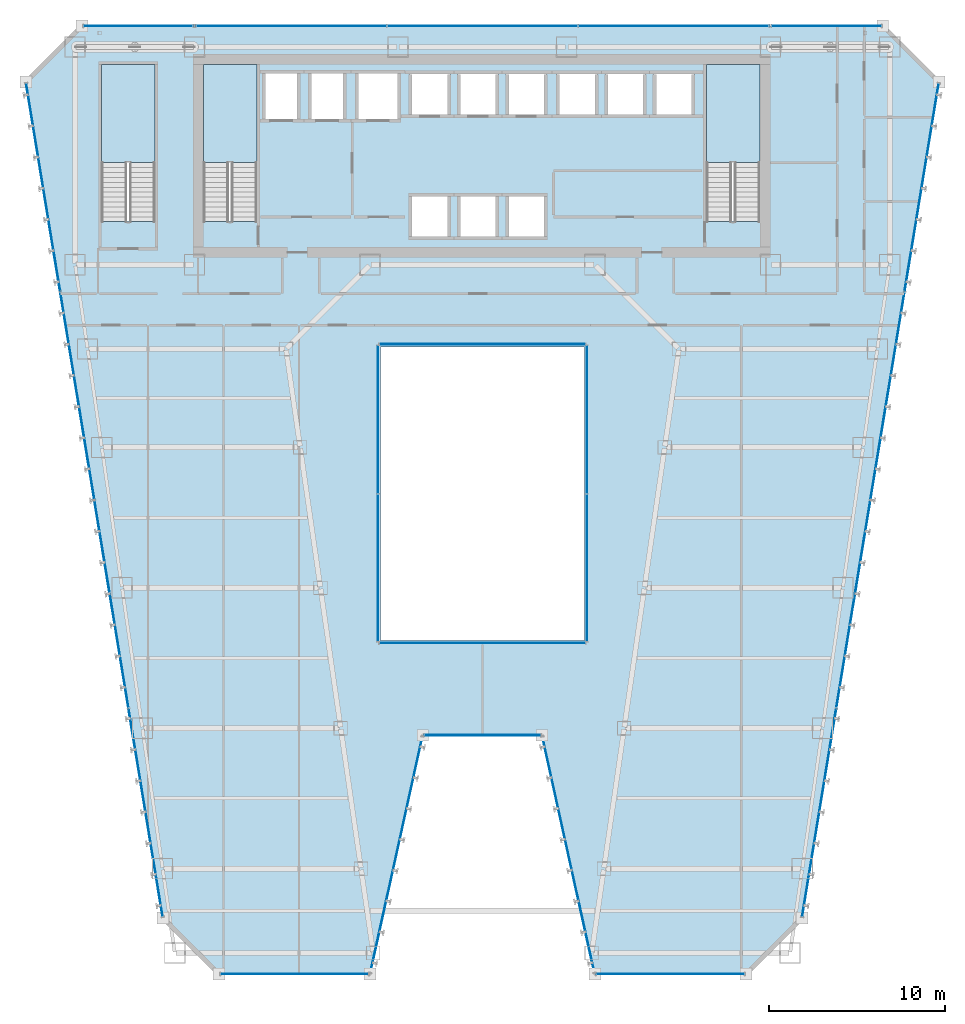
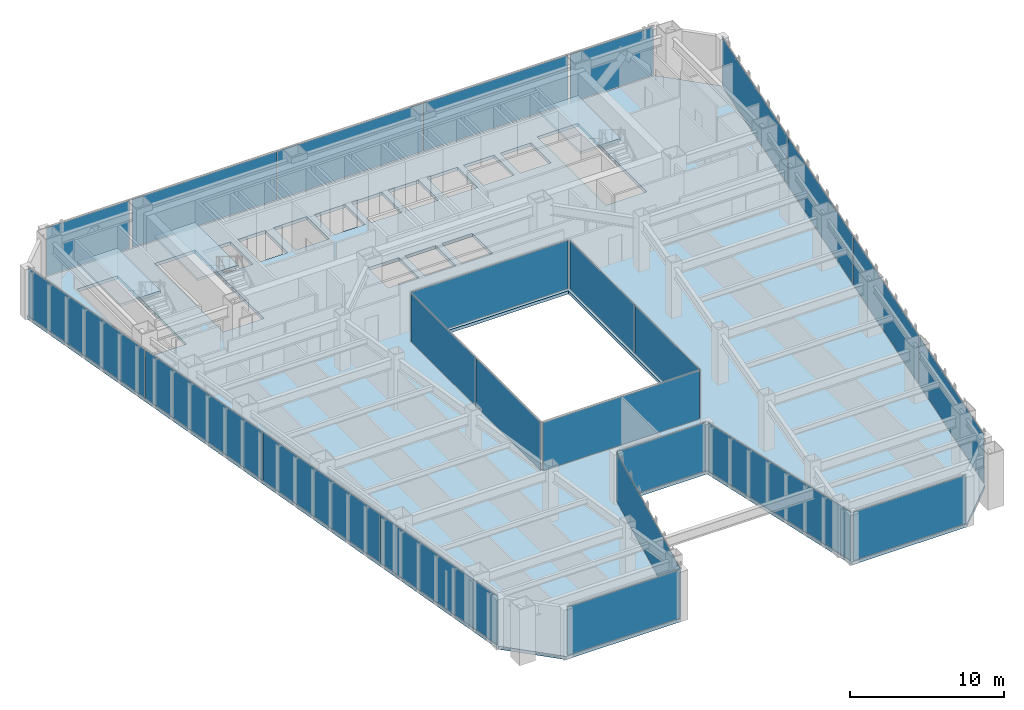
# One storey, part 34 of 47: 24 plates, 4 slabs, 17 elements without a shape of their own.
"""IFC4 building model written with IfcOpenShell, lengths in metres."""

from ifc_helpers import new_model, si_unit, direction, frame, origin, origin_2d, place, context, subcontext, project, spatial, polyline, rectangle, outline, extrude, material, layer, layer_set, type_object, element, aggregate, save


model = new_model("IFC4")

# Units and contexts
model_context = context("Model", 3, precision=1e-05, world=origin(), true_north=direction((0.0, 1.0)))
body_context = subcontext(model_context, "Body", "Model", "MODEL_VIEW")
ifc_project = project(units=[si_unit("LENGTHUNIT", "METRE"), si_unit("AREAUNIT", "SQUARE_METRE"), si_unit("VOLUMEUNIT", "CUBIC_METRE"), si_unit("PLANEANGLEUNIT", "RADIAN"), si_unit("MASSUNIT", "GRAM", prefix="KILO")], contexts=[model_context])

# Site, building, storey
site_placement = place(None, origin())
site = spatial("IfcSite", under=ifc_project, at=site_placement, CompositionType="ELEMENT")
building_placement = place(site_placement, origin())
building = spatial("IfcBuilding", under=site, at=building_placement, Name="Saevonmaru Cultural Tower", CompositionType="ELEMENT")
storey_placement = place(building_placement, frame((0.0, 0.0, 82.39990234375)))
storey = spatial("IfcBuildingStorey", under=building, at=storey_placement, Name="L17", CompositionType="ELEMENT", Elevation=82.39990234375)

# Curtain wall, plate
ifc_material_1 = material(Name="Satin Bronze Anodised Aluminium", Category="aluminium")
curtain_wall_type_1 = type_object("IfcCurtainWallType", Name="CW-ATR-GLZ", PredefinedType="NOTDEFINED", material=ifc_material_1)
curtain_wall_1_placement = place(storey_placement, origin())
curtain_wall_1 = element("IfcCurtainWall", 1, at=curtain_wall_1_placement, inside=storey, type_object=curtain_wall_type_1, Name="L17 Vertical Atrium Glazed Smoke Screen 1", PredefinedType="NOTDEFINED")
ifc_material_2 = material(Name="Fire-Rated Laminated Atrium Glass", Category="glass")
ifc_layer_1 = layer(ifc_material_2, 0.031982421875, Name="Fire-Rated Laminated Atrium Glass")
ifc_layer_set_1 = layer_set([ifc_layer_1], Name="Fire-Rated Laminated Atrium Glass")
plate_type_1 = type_object("IfcPlateType", Name="PN-GLZ-ATR-INT", PredefinedType="CURTAIN_PANEL", material=ifc_layer_set_1)
plate_1_placement = place(storey_placement, frame((30.0, 20.85009765625, 0.067138671875), z_axis=(0.0, 0.0, 1.0), x_axis=(1.0, 0.0, 0.0)))
plate_1 = element("IfcPlate", 2, at=plate_1_placement, type_object=plate_type_1, Name="CW-ATR-L17-1 panel 1.1", PredefinedType="CURTAIN_PANEL", context=body_context, shape_type="SweptSolid", body=[
    extrude(rectangle(XDim=11.7109375, YDim=0.031982421875, at=origin_2d()), origin(), (0.0, 0.0, 1.0), 3.81591796875),
])
aggregate(curtain_wall_1, [plate_1])

# Curtain wall, plates
curtain_wall_2_placement = place(storey_placement, origin())
curtain_wall_2 = element("IfcCurtainWall", 3, at=curtain_wall_2_placement, inside=storey, type_object=curtain_wall_type_1, Name="L17 Vertical Atrium Glazed Smoke Screen 2", PredefinedType="NOTDEFINED")
plate_2_placement = place(storey_placement, frame((35.949951171875, 25.135009765625, 0.067138671875), z_axis=(0.0, 0.0, 1.0), x_axis=(0.0, 1.0, 0.0)))
plate_2 = element("IfcPlate", 4, at=plate_2_placement, type_object=plate_type_1, Name="CW-ATR-L17-2 panel 1.1", PredefinedType="CURTAIN_PANEL", context=body_context, shape_type="SweptSolid", body=[
    extrude(rectangle(XDim=8.381103515625, YDim=0.031982421875, at=origin_2d()), origin(), (0.0, 0.0, 1.0), 3.81591796875),
])
plate_3_placement = place(storey_placement, frame((35.949951171875, 33.5849609375, 0.067138671875), z_axis=(0.0, 0.0, 1.0), x_axis=(0.0, 1.0, 0.0)))
plate_3 = element("IfcPlate", 5, at=plate_3_placement, type_object=plate_type_1, Name="CW-ATR-L17-2 panel 2.1", PredefinedType="CURTAIN_PANEL", context=body_context, shape_type="SweptSolid", body=[
    extrude(rectangle(XDim=8.381103515625, YDim=0.031982421875, at=origin_2d()), origin(), (0.0, 0.0, 1.0), 3.81591796875),
])
aggregate(curtain_wall_2, [plate_2, plate_3])

# Curtain wall, plate
curtain_wall_3_placement = place(storey_placement, origin())
curtain_wall_3 = element("IfcCurtainWall", 6, at=curtain_wall_3_placement, inside=storey, type_object=curtain_wall_type_1, Name="L17 Vertical Atrium Glazed Smoke Screen 3", PredefinedType="NOTDEFINED")
plate_4_placement = place(storey_placement, frame((30.0, 37.8701171875, 0.067138671875), z_axis=(0.0, 0.0, 1.0), x_axis=(-1.0, 0.0, 0.0)))
plate_4 = element("IfcPlate", 7, at=plate_4_placement, type_object=plate_type_1, Name="CW-ATR-L17-3 panel 1.1", PredefinedType="CURTAIN_PANEL", context=body_context, shape_type="SweptSolid", body=[
    extrude(rectangle(XDim=11.7109375, YDim=0.031982421875, at=origin_2d()), origin(), (0.0, 0.0, 1.0), 3.81591796875),
])
aggregate(curtain_wall_3, [plate_4])

# Curtain wall, plates
curtain_wall_4_placement = place(storey_placement, origin())
curtain_wall_4 = element("IfcCurtainWall", 8, at=curtain_wall_4_placement, inside=storey, type_object=curtain_wall_type_1, Name="L17 Vertical Atrium Glazed Smoke Screen 4", PredefinedType="NOTDEFINED")
plate_5_placement = place(storey_placement, frame((24.050048828125, 33.5849609375, 0.067138671875), z_axis=(0.0, 0.0, 1.0), x_axis=(0.0, -1.0, 0.0)))
plate_5 = element("IfcPlate", 9, at=plate_5_placement, type_object=plate_type_1, Name="CW-ATR-L17-4 panel 1.1", PredefinedType="CURTAIN_PANEL", context=body_context, shape_type="SweptSolid", body=[
    extrude(rectangle(XDim=8.381103515625, YDim=0.031982421875, at=origin_2d()), origin(), (0.0, 0.0, 1.0), 3.81591796875),
])
plate_6_placement = place(storey_placement, frame((24.050048828125, 25.135009765625, 0.067138671875), z_axis=(0.0, 0.0, 1.0), x_axis=(0.0, -1.0, 0.0)))
plate_6 = element("IfcPlate", 10, at=plate_6_placement, type_object=plate_type_1, Name="CW-ATR-L17-4 panel 2.1", PredefinedType="CURTAIN_PANEL", context=body_context, shape_type="SweptSolid", body=[
    extrude(rectangle(XDim=8.381103515625, YDim=0.031982421875, at=origin_2d()), origin(), (0.0, 0.0, 1.0), 3.81591796875),
])
aggregate(curtain_wall_4, [plate_5, plate_6])

# Curtain wall, plate
curtain_wall_type_2 = type_object("IfcCurtainWallType", Name="CW-TYP-A", PredefinedType="NOTDEFINED", material=ifc_material_1)
curtain_wall_5_placement = place(storey_placement, origin())
curtain_wall_5 = element("IfcCurtainWall", 11, at=curtain_wall_5_placement, inside=storey, type_object=curtain_wall_type_2, Name="L17 Unitised Curtain Wall E2", PredefinedType="NOTDEFINED")
ifc_material_3 = material(Name="Triple Silver Low-E Insulating Glass", Category="glass")
ifc_layer_2 = layer(ifc_material_3, 0.035888671875, Name="Triple Silver Low-E Insulating Glass")
ifc_layer_set_2 = layer_set([ifc_layer_2], Name="Triple Silver Low-E Insulating Glass")
plate_type_2 = type_object("IfcPlateType", Name="PN-GLZ-IGU", PredefinedType="CURTAIN_PANEL", material=ifc_layer_set_2)
plate_7_placement = place(storey_placement, frame((19.300048828125, 2.0, 0.067138671875), z_axis=(0.0, 0.0, 1.0), x_axis=(1.0, 0.0, 0.0)))
plate_7 = element("IfcPlate", 12, at=plate_7_placement, type_object=plate_type_2, Name="CW-TW-L17-E2 panel 1.1", PredefinedType="CURTAIN_PANEL", context=body_context, shape_type="SweptSolid", body=[
    extrude(rectangle(XDim=8.410888671875, YDim=0.035888671875, at=origin_2d()), origin(), (0.0, 0.0, 1.0), 3.81591796875),
])
aggregate(curtain_wall_5, [plate_7])

curtain_wall_6_placement = place(storey_placement, origin())
curtain_wall_6 = element("IfcCurtainWall", 13, at=curtain_wall_6_placement, inside=storey, type_object=curtain_wall_type_2, Name="L17 Unitised Curtain Wall E3", PredefinedType="NOTDEFINED")
plate_8_placement = place(storey_placement, frame((25.10009765625, 8.800048828125, 0.067138671875), z_axis=(0.0, 0.0, 1.0), x_axis=(0.215413319953, 0.976522965212, 0.0)))
plate_8 = element("IfcPlate", 14, at=plate_8_placement, type_object=plate_type_2, Name="CW-TW-L17-E3 panel 1.1", PredefinedType="CURTAIN_PANEL", context=body_context, shape_type="SweptSolid", body=[
    extrude(rectangle(XDim=13.738037109375, YDim=0.035888671875, at=origin_2d()), origin(), (0.0, 0.0, 1.0), 3.81591796875),
])
aggregate(curtain_wall_6, [plate_8])

curtain_wall_7_placement = place(storey_placement, origin())
curtain_wall_7 = element("IfcCurtainWall", 15, at=curtain_wall_7_placement, inside=storey, type_object=curtain_wall_type_2, Name="L17 Unitised Curtain Wall E4", PredefinedType="NOTDEFINED")
plate_9_placement = place(storey_placement, frame((30.0, 15.60009765625, 0.067138671875), z_axis=(0.0, 0.0, 1.0), x_axis=(1.0, 0.0, 0.0)))
plate_9 = element("IfcPlate", 16, at=plate_9_placement, type_object=plate_type_2, Name="CW-TW-L17-E4 panel 1.1", PredefinedType="CURTAIN_PANEL", context=body_context, shape_type="SweptSolid", body=[
    extrude(rectangle(XDim=6.611083984375, YDim=0.035888671875, at=origin_2d()), origin(), (0.0, 0.0, 1.0), 3.81591796875),
])
aggregate(curtain_wall_7, [plate_9])

curtain_wall_8_placement = place(storey_placement, origin())
curtain_wall_8 = element("IfcCurtainWall", 17, at=curtain_wall_8_placement, inside=storey, type_object=curtain_wall_type_2, Name="L17 Unitised Curtain Wall E5", PredefinedType="NOTDEFINED")
plate_10_placement = place(storey_placement, frame((34.89990234375, 8.800048828125, 0.067138671875), z_axis=(0.0, 0.0, 1.0), x_axis=(0.215413319953, -0.976522965212, 0.0)))
plate_10 = element("IfcPlate", 18, at=plate_10_placement, type_object=plate_type_2, Name="CW-TW-L17-E5 panel 1.1", PredefinedType="CURTAIN_PANEL", context=body_context, shape_type="SweptSolid", body=[
    extrude(rectangle(XDim=13.738037109375, YDim=0.035888671875, at=origin_2d()), origin(), (0.0, 0.0, 1.0), 3.81591796875),
])
aggregate(curtain_wall_8, [plate_10])

curtain_wall_9_placement = place(storey_placement, origin())
curtain_wall_9 = element("IfcCurtainWall", 19, at=curtain_wall_9_placement, inside=storey, type_object=curtain_wall_type_2, Name="L17 Unitised Curtain Wall E6", PredefinedType="NOTDEFINED")
plate_11_placement = place(storey_placement, frame((40.699951171875, 2.0, 0.067138671875), z_axis=(0.0, 0.0, 1.0), x_axis=(1.0, 0.0, 0.0)))
plate_11 = element("IfcPlate", 20, at=plate_11_placement, type_object=plate_type_2, Name="CW-TW-L17-E6 panel 1.1", PredefinedType="CURTAIN_PANEL", context=body_context, shape_type="SweptSolid", body=[
    extrude(rectangle(XDim=8.410888671875, YDim=0.035888671875, at=origin_2d()), origin(), (0.0, 0.0, 1.0), 3.81591796875),
])
aggregate(curtain_wall_9, [plate_11])

# Curtain wall, plates
curtain_wall_10_placement = place(storey_placement, origin())
curtain_wall_10 = element("IfcCurtainWall", 21, at=curtain_wall_10_placement, inside=storey, type_object=curtain_wall_type_2, Name="L17 Unitised Curtain Wall E8", PredefinedType="NOTDEFINED")
plate_12_placement = place(storey_placement, frame((49.182373046875, 11.1943359375, 0.067138671875), z_axis=(0.0, 0.0, 1.0), x_axis=(0.161708868641, 0.986838508472, 0.0)))
plate_12 = element("IfcPlate", 22, at=plate_12_placement, type_object=plate_type_2, Name="CW-TW-L17-E8 panel 1.1", PredefinedType="CURTAIN_PANEL", context=body_context, shape_type="SweptSolid", body=[
    extrude(rectangle(XDim=11.959716796875, YDim=0.035888671875, at=origin_2d()), origin(), (0.0, 0.0, 1.0), 3.81591796875),
])
plate_13_placement = place(storey_placement, frame((51.12744140625, 23.064697265625, 0.067138671875), z_axis=(0.0, 0.0, 1.0), x_axis=(0.161708868641, 0.986838508472, 0.0)))
plate_13 = element("IfcPlate", 23, at=plate_13_placement, type_object=plate_type_2, Name="CW-TW-L17-E8 panel 2.1", PredefinedType="CURTAIN_PANEL", context=body_context, shape_type="SweptSolid", body=[
    extrude(rectangle(XDim=11.959716796875, YDim=0.035888671875, at=origin_2d()), origin(), (0.0, 0.0, 1.0), 3.81591796875),
])
plate_14_placement = place(storey_placement, frame((53.072509765625, 34.935302734375, 0.067138671875), z_axis=(0.0, 0.0, 1.0), x_axis=(0.161708868641, 0.986838508472, 0.0)))
plate_14 = element("IfcPlate", 24, at=plate_14_placement, type_object=plate_type_2, Name="CW-TW-L17-E8 panel 3.1", PredefinedType="CURTAIN_PANEL", context=body_context, shape_type="SweptSolid", body=[
    extrude(rectangle(XDim=11.959716796875, YDim=0.035888671875, at=origin_2d()), origin(), (0.0, 0.0, 1.0), 3.81591796875),
])
plate_15_placement = place(storey_placement, frame((55.017822265625, 46.8056640625, 0.067138671875), z_axis=(0.0, 0.0, 1.0), x_axis=(0.161708868641, 0.986838508472, 0.0)))
plate_15 = element("IfcPlate", 25, at=plate_15_placement, type_object=plate_type_2, Name="CW-TW-L17-E8 panel 4.1", PredefinedType="CURTAIN_PANEL", context=body_context, shape_type="SweptSolid", body=[
    extrude(rectangle(XDim=11.959716796875, YDim=0.035888671875, at=origin_2d()), origin(), (0.0, 0.0, 1.0), 3.81591796875),
])
aggregate(curtain_wall_10, [plate_12, plate_13, plate_14, plate_15])

curtain_wall_11_placement = place(storey_placement, origin())
curtain_wall_11 = element("IfcCurtainWall", 26, at=curtain_wall_11_placement, inside=storey, type_object=curtain_wall_type_2, Name="L17 North Spine Unitised Curtain Wall E10B", PredefinedType="NOTDEFINED")
plate_16_placement = place(storey_placement, frame((40.893310546875, 56.0, 0.067138671875), z_axis=(0.0, 0.0, 1.0), x_axis=(-1.0, 0.0, 0.0)))
plate_16 = element("IfcPlate", 27, at=plate_16_placement, type_object=plate_type_2, Name="CW-TW-L17-E10B panel 1.1", PredefinedType="CURTAIN_PANEL", context=body_context, shape_type="SweptSolid", body=[
    extrude(rectangle(XDim=10.82421875, YDim=0.035888671875, at=origin_2d()), origin(), (0.0, 0.0, 1.0), 3.81591796875),
])
plate_17_placement = place(storey_placement, frame((30.0, 56.0, 0.067138671875), z_axis=(0.0, 0.0, 1.0), x_axis=(-1.0, 0.0, 0.0)))
plate_17 = element("IfcPlate", 28, at=plate_17_placement, type_object=plate_type_2, Name="CW-TW-L17-E10B panel 2.1", PredefinedType="CURTAIN_PANEL", context=body_context, shape_type="SweptSolid", body=[
    extrude(rectangle(XDim=10.82421875, YDim=0.035888671875, at=origin_2d()), origin(), (0.0, 0.0, 1.0), 3.81591796875),
])
plate_18_placement = place(storey_placement, frame((19.106689453125, 56.0, 0.067138671875), z_axis=(0.0, 0.0, 1.0), x_axis=(-1.0, 0.0, 0.0)))
plate_18 = element("IfcPlate", 29, at=plate_18_placement, type_object=plate_type_2, Name="CW-TW-L17-E10B panel 3.1", PredefinedType="CURTAIN_PANEL", context=body_context, shape_type="SweptSolid", body=[
    extrude(rectangle(XDim=10.82421875, YDim=0.035888671875, at=origin_2d()), origin(), (0.0, 0.0, 1.0), 3.81591796875),
])
aggregate(curtain_wall_11, [plate_16, plate_17, plate_18])

curtain_wall_12_placement = place(storey_placement, origin())
curtain_wall_12 = element("IfcCurtainWall", 30, at=curtain_wall_12_placement, inside=storey, type_object=curtain_wall_type_2, Name="L17 Unitised Curtain Wall E12", PredefinedType="NOTDEFINED")
plate_19_placement = place(storey_placement, frame((4.982177734375, 46.8056640625, 0.067138671875), z_axis=(0.0, 0.0, 1.0), x_axis=(0.161708868641, -0.986838508472, 0.0)))
plate_19 = element("IfcPlate", 31, at=plate_19_placement, type_object=plate_type_2, Name="CW-TW-L17-E12 panel 1.1", PredefinedType="CURTAIN_PANEL", context=body_context, shape_type="SweptSolid", body=[
    extrude(rectangle(XDim=11.959716796875, YDim=0.035888671875, at=origin_2d()), origin(), (0.0, 0.0, 1.0), 3.81591796875),
])
plate_20_placement = place(storey_placement, frame((6.927490234375, 34.935302734375, 0.067138671875), z_axis=(0.0, 0.0, 1.0), x_axis=(0.161708868641, -0.986838508472, 0.0)))
plate_20 = element("IfcPlate", 32, at=plate_20_placement, type_object=plate_type_2, Name="CW-TW-L17-E12 panel 2.1", PredefinedType="CURTAIN_PANEL", context=body_context, shape_type="SweptSolid", body=[
    extrude(rectangle(XDim=11.959716796875, YDim=0.035888671875, at=origin_2d()), origin(), (0.0, 0.0, 1.0), 3.81591796875),
])
plate_21_placement = place(storey_placement, frame((8.87255859375, 23.064697265625, 0.067138671875), z_axis=(0.0, 0.0, 1.0), x_axis=(0.161708868641, -0.986838508472, 0.0)))
plate_21 = element("IfcPlate", 33, at=plate_21_placement, type_object=plate_type_2, Name="CW-TW-L17-E12 panel 3.1", PredefinedType="CURTAIN_PANEL", context=body_context, shape_type="SweptSolid", body=[
    extrude(rectangle(XDim=11.959716796875, YDim=0.035888671875, at=origin_2d()), origin(), (0.0, 0.0, 1.0), 3.81591796875),
])
plate_22_placement = place(storey_placement, frame((10.817626953125, 11.1943359375, 0.067138671875), z_axis=(0.0, 0.0, 1.0), x_axis=(0.161708868641, -0.986838508472, 0.0)))
plate_22 = element("IfcPlate", 34, at=plate_22_placement, type_object=plate_type_2, Name="CW-TW-L17-E12 panel 4.1", PredefinedType="CURTAIN_PANEL", context=body_context, shape_type="SweptSolid", body=[
    extrude(rectangle(XDim=11.959716796875, YDim=0.035888671875, at=origin_2d()), origin(), (0.0, 0.0, 1.0), 3.81591796875),
])
aggregate(curtain_wall_12, [plate_19, plate_20, plate_21, plate_22])

# Curtain wall, plate
curtain_wall_13_placement = place(storey_placement, origin())
curtain_wall_13 = element("IfcCurtainWall", 35, at=curtain_wall_13_placement, inside=storey, type_object=curtain_wall_type_2, Name="L17 East Braced Bay Spandrel Curtain Wall E10A", PredefinedType="NOTDEFINED")
ifc_material_4 = material(Name="Insulated Satin Bronze Aluminium Spandrel Panel", Category="aluminium")
ifc_layer_3 = layer(ifc_material_4, 0.0400390625, Name="Insulated Satin Bronze Aluminium Spandrel Panel")
ifc_layer_set_3 = layer_set([ifc_layer_3], Name="Insulated Satin Bronze Aluminium Spandrel Panel")
plate_type_3 = type_object("IfcPlateType", Name="PN-SPANDREL-BRONZE", PredefinedType="CURTAIN_PANEL", material=ifc_layer_set_3)
plate_23_placement = place(storey_placement, frame((49.60009765625, 56.0, 0.067138671875), z_axis=(0.0, 0.0, 1.0), x_axis=(-1.0, 0.0, 0.0)))
plate_23 = element("IfcPlate", 36, at=plate_23_placement, type_object=plate_type_3, Name="CW-TW-L17-E10A panel 1.1", PredefinedType="CURTAIN_PANEL", context=body_context, shape_type="SweptSolid", body=[
    extrude(rectangle(XDim=6.2109375, YDim=0.035888671875, at=origin_2d()), origin(), (0.0, 0.0, 1.0), 3.81591796875),
])
aggregate(curtain_wall_13, [plate_23])

curtain_wall_14_placement = place(storey_placement, origin())
curtain_wall_14 = element("IfcCurtainWall", 37, at=curtain_wall_14_placement, inside=storey, type_object=curtain_wall_type_2, Name="L17 West Braced Bay Spandrel Curtain Wall E10C", PredefinedType="NOTDEFINED")
plate_24_placement = place(storey_placement, frame((10.39990234375, 56.0, 0.067138671875), z_axis=(0.0, 0.0, 1.0), x_axis=(-1.0, 0.0, 0.0)))
plate_24 = element("IfcPlate", 38, at=plate_24_placement, type_object=plate_type_3, Name="CW-TW-L17-E10C panel 1.1", PredefinedType="CURTAIN_PANEL", context=body_context, shape_type="SweptSolid", body=[
    extrude(rectangle(XDim=6.2109375, YDim=0.035888671875, at=origin_2d()), origin(), (0.0, 0.0, 1.0), 3.81591796875),
])
aggregate(curtain_wall_14, [plate_24])

# Slab
ifc_material_5 = material(Name="Concrete C40/50", Category="concrete")
ifc_layer_4 = layer(ifc_material_5, 0.25, Name="Concrete C40/50")
ifc_layer_set_4 = layer_set([ifc_layer_4], Name="Concrete C40/50")
slab_type_1 = type_object("IfcSlabType", Name="SL-FLR-250", PredefinedType="FLOOR", material=ifc_layer_set_4)
slab_1_placement = place(storey_placement, frame((0.0, 0.0, -0.25)))
element("IfcSlab", 39, at=slab_1_placement, inside=storey, type_object=slab_type_1, Name="L17 Tower Structural Floor Slab", PredefinedType="FLOOR", context=body_context, shape_type="SweptSolid", body=[
    extrude(outline(polyline([(11.800048828125, 5.199951171875), (15.0, 2.0), (23.60009765625, 2.0), (26.60009765625, 15.60009765625), (33.39990234375, 15.60009765625), (36.39990234375, 2.0), (45.0, 2.0), (48.199951171875, 5.199951171875), (56.0, 52.800048828125), (52.800048828125, 56.0), (7.199951171875, 56.0), (4.0, 52.800048828125), (11.800048828125, 5.199951171875)]), holes=[polyline([(45.800048828125, 44.875), (42.75, 44.875), (42.75, 53.800048828125), (45.800048828125, 53.800048828125), (45.800048828125, 44.875)]), polyline([(39.75, 50.800048828125), (39.75, 53.39990234375), (42.050048828125, 53.39990234375), (42.050048828125, 50.800048828125), (39.75, 50.800048828125)]), polyline([(37.0, 50.800048828125), (37.0, 53.39990234375), (39.300048828125, 53.39990234375), (39.300048828125, 50.800048828125), (37.0, 50.800048828125)]), polyline([(34.25, 50.800048828125), (34.25, 53.39990234375), (36.550048828125, 53.39990234375), (36.550048828125, 50.800048828125), (34.25, 50.800048828125)]), polyline([(24.199951171875, 21.0), (24.199951171875, 37.719970703125), (35.800048828125, 37.719970703125), (35.800048828125, 21.0), (24.199951171875, 21.0)]), polyline([(31.35009765625, 50.800048828125), (31.35009765625, 53.39990234375), (33.64990234375, 53.39990234375), (33.64990234375, 50.800048828125), (31.35009765625, 50.800048828125)]), polyline([(31.35009765625, 43.85009765625), (31.35009765625, 46.449951171875), (33.64990234375, 46.449951171875), (33.64990234375, 43.85009765625), (31.35009765625, 43.85009765625)]), polyline([(28.60009765625, 43.85009765625), (28.60009765625, 46.449951171875), (30.89990234375, 46.449951171875), (30.89990234375, 43.85009765625), (28.60009765625, 43.85009765625)]), polyline([(28.60009765625, 50.800048828125), (28.60009765625, 53.39990234375), (30.89990234375, 53.39990234375), (30.89990234375, 50.800048828125), (28.60009765625, 50.800048828125)]), polyline([(25.85009765625, 50.800048828125), (25.85009765625, 53.39990234375), (28.14990234375, 53.39990234375), (28.14990234375, 50.800048828125), (25.85009765625, 50.800048828125)]), polyline([(25.85009765625, 43.85009765625), (25.85009765625, 46.449951171875), (28.14990234375, 46.449951171875), (28.14990234375, 43.85009765625), (25.85009765625, 43.85009765625)]), polyline([(22.800048828125, 50.550048828125), (22.800048828125, 53.449951171875), (25.300048828125, 53.449951171875), (25.300048828125, 50.550048828125), (22.800048828125, 50.550048828125)]), polyline([(20.10009765625, 50.550048828125), (20.10009765625, 53.449951171875), (22.199951171875, 53.449951171875), (22.199951171875, 50.550048828125), (20.10009765625, 50.550048828125)]), polyline([(17.5, 50.550048828125), (17.5, 53.449951171875), (19.60009765625, 53.449951171875), (19.60009765625, 50.550048828125), (17.5, 50.550048828125)]), polyline([(17.14990234375, 44.875), (14.10009765625, 44.875), (14.10009765625, 53.800048828125), (17.14990234375, 53.800048828125), (17.14990234375, 44.875)]), polyline([(11.35009765625, 44.875), (8.300048828125, 44.875), (8.300048828125, 53.800048828125), (11.35009765625, 53.800048828125), (11.35009765625, 44.875)])]), origin(), (0.0, 0.0, 1.0), 0.25),
])

# Stair, slab
stair_type = type_object("IfcStairType", Name="STR-DOGLEG-RC", PredefinedType="HALF_TURN_STAIR", material=ifc_material_5)
stair_1_placement = place(storey_placement, origin())
stair_1 = element("IfcStair", 40, at=stair_1_placement, inside=storey, type_object=stair_type, Name="L17 Protected exit stair ST-1", PredefinedType="HALF_TURN_STAIR")
ifc_layer_5 = layer(ifc_material_5, 0.199951171875, Name="Concrete C40/50")
ifc_layer_set_5 = layer_set([ifc_layer_5], Name="Concrete C40/50")
slab_type_2 = type_object("IfcSlabType", Name="SL-STAIR-LANDING", PredefinedType="LANDING", material=ifc_layer_set_5)
slab_2_placement = place(storey_placement, frame((0.0, 0.0, 2.0)))
slab_2 = element("IfcSlab", 41, at=slab_2_placement, type_object=slab_type_2, Name="ST-1-L17 landing 1", PredefinedType="LANDING", context=body_context, shape_type="SweptSolid", body=[
    extrude(outline(polyline([(17.14990234375, 48.2099609375), (17.14990234375, 53.800048828125), (14.10009765625, 53.800048828125), (14.10009765625, 48.2099609375), (17.14990234375, 48.2099609375)])), origin(), (0.0, 0.0, 1.0), 0.2001953125),
])
aggregate(stair_1, [slab_2])

stair_2_placement = place(storey_placement, origin())
stair_2 = element("IfcStair", 42, at=stair_2_placement, inside=storey, type_object=stair_type, Name="L17 Protected exit stair ST-2", PredefinedType="HALF_TURN_STAIR")
slab_3_placement = place(storey_placement, frame((0.0, 0.0, 2.0)))
slab_3 = element("IfcSlab", 43, at=slab_3_placement, type_object=slab_type_2, Name="ST-2-L17 landing 1", PredefinedType="LANDING", context=body_context, shape_type="SweptSolid", body=[
    extrude(outline(polyline([(45.800048828125, 48.2099609375), (45.800048828125, 53.800048828125), (42.75, 53.800048828125), (42.75, 48.2099609375), (45.800048828125, 48.2099609375)])), origin(), (0.0, 0.0, 1.0), 0.2001953125),
])
aggregate(stair_2, [slab_3])

stair_3_placement = place(storey_placement, origin())
stair_3 = element("IfcStair", 44, at=stair_3_placement, inside=storey, type_object=stair_type, Name="L17 Protected exit stair ST-3", PredefinedType="HALF_TURN_STAIR")
slab_4_placement = place(storey_placement, frame((0.0, 0.0, 2.0)))
slab_4 = element("IfcSlab", 45, at=slab_4_placement, type_object=slab_type_2, Name="ST-3-L17 landing 1", PredefinedType="LANDING", context=body_context, shape_type="SweptSolid", body=[
    extrude(outline(polyline([(11.35009765625, 48.2099609375), (11.35009765625, 53.800048828125), (8.300048828125, 53.800048828125), (8.300048828125, 48.2099609375), (11.35009765625, 48.2099609375)])), origin(), (0.0, 0.0, 1.0), 0.2001953125),
])
aggregate(stair_3, [slab_4])

save(model, "model.ifc")
